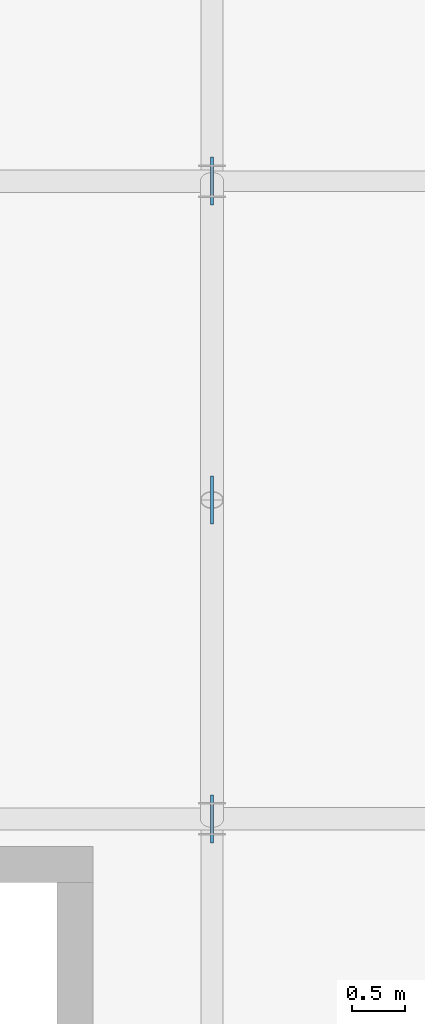
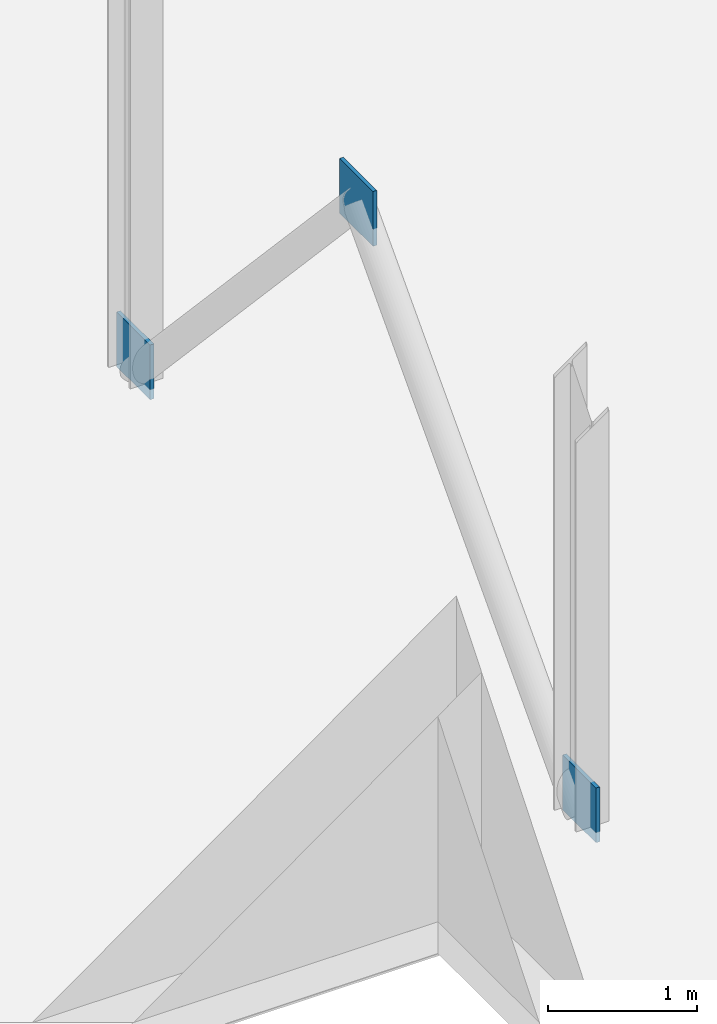
# One storey, part 86 of 96: 3 plates.
"""IFC4 building model written with IfcOpenShell, lengths in metres."""

from ifc_helpers import new_model, si_unit, direction, frame, origin, origin_2d, place, context, subcontext, project, spatial, rectangle, extrude, material, layer, layer_set, type_object, element, save


model = new_model("IFC4")

# Units and contexts
model_context = context("Model", 3, precision=1e-05, world=origin(), true_north=direction((0.0, 1.0)))
body_context = subcontext(model_context, "Body", "Model", "MODEL_VIEW")
ifc_project = project(units=[si_unit("LENGTHUNIT", "METRE"), si_unit("AREAUNIT", "SQUARE_METRE"), si_unit("VOLUMEUNIT", "CUBIC_METRE"), si_unit("PLANEANGLEUNIT", "RADIAN"), si_unit("MASSUNIT", "GRAM", prefix="KILO")], contexts=[model_context])

# Site, building, storey
site_placement = place(None, origin())
site = spatial("IfcSite", under=ifc_project, at=site_placement, CompositionType="ELEMENT")
building_placement = place(site_placement, origin())
building = spatial("IfcBuilding", under=site, at=building_placement, Name="Verrall Gate Interchange", CompositionType="ELEMENT")
storey_placement = place(building_placement, frame((0.0, 0.0, 11.39990234375)))
storey = spatial("IfcBuildingStorey", under=building, at=storey_placement, Name="L03", CompositionType="ELEMENT", Elevation=11.39990234375)

# Plates
ifc_material = material(Name="Structural Steel CSA G40.21 350WT Cat 4", Category="steel")
ifc_layer = layer(ifc_material, 0.030029296875)
ifc_layer_set = layer_set([ifc_layer], Name="Structural Steel CSA G40.21 350WT Cat 4")
plate_type = type_object("IfcPlateType", Name="GP-02 Gusset Plate 30", PredefinedType="SHEET", material=ifc_layer_set)
for number, where, z_axis, x_axis, name in (
    (1, (144.0, 22.0, -0.0849609375), (0.0, 0.0, 1.0), (1.0, 0.0, 0.0), "Chevron Brace Gusset Node CBF6-L03-BA"),
    (2, (144.0, 28.0, -0.0849609375), (0.0, 0.0, 1.0), (1.0, 0.0, 0.0), "Chevron Brace Gusset Node CBF6-L03-BB"),
    (3, (144.0, 25.0, 2.9951171875), (0.0, 0.0, 1.0), (1.0, 0.0, 0.0), "Chevron Brace Gusset Node CBF6-L03-AP"),
):
    element("IfcPlate", number, at=place(storey_placement, frame(where, z_axis=z_axis, x_axis=x_axis)), inside=storey, type_object=plate_type, Name=name, PredefinedType="SHEET", context=body_context, shape_type="SweptSolid", body=[
        extrude(rectangle(XDim=0.030029296875, YDim=0.449951171875, at=origin_2d()), origin(), (0.0, 0.0, 1.0), 0.449951171875),
    ])

save(model, "model.ifc")
